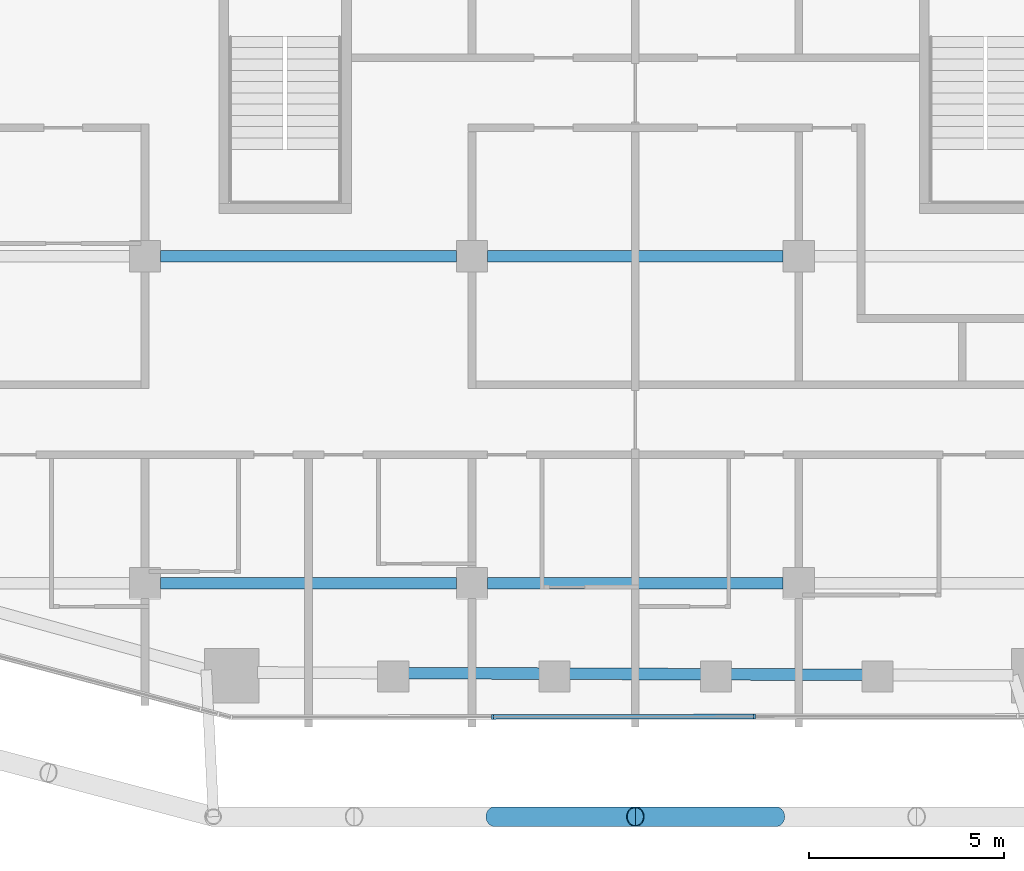
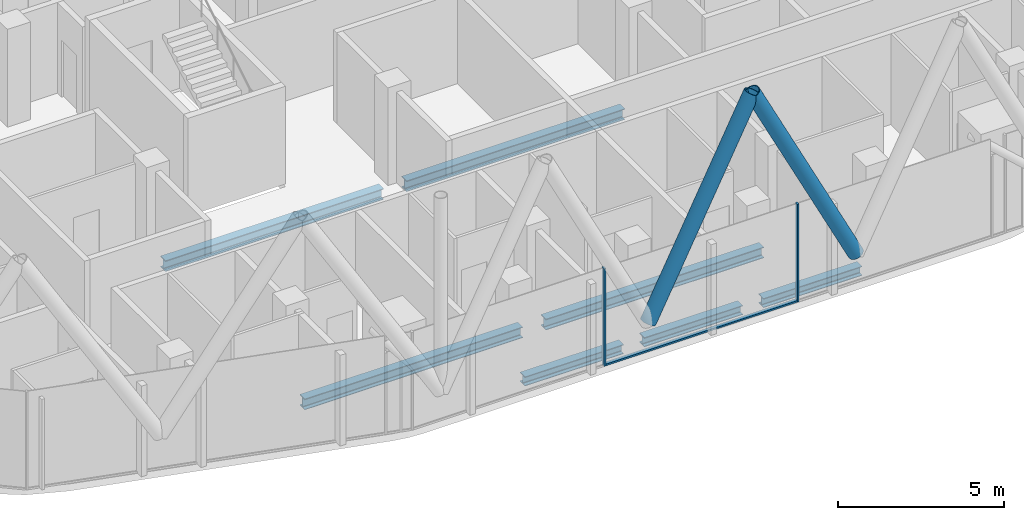
# One storey, part 3 of 28: 7 beams, 5 members, 1 element without a shape of its own.
"""IFC4 building model written with IfcOpenShell, lengths in metres."""

from ifc_helpers import new_model, si_unit, direction, frame, origin, origin_2d, place, context, subcontext, project, spatial, rectangle, hollow_circle, i_section, extrude, material, layer, layer_set, material_profile, profile_set, type_object, element, aggregate, save


model = new_model("IFC4")

# Units and contexts
model_context = context("Model", 3, precision=1e-05, world=origin(), true_north=direction((0.0, 1.0)))
body_context = subcontext(model_context, "Body", "Model", "MODEL_VIEW")
ifc_project = project(units=[si_unit("LENGTHUNIT", "METRE"), si_unit("AREAUNIT", "SQUARE_METRE"), si_unit("VOLUMEUNIT", "CUBIC_METRE"), si_unit("PLANEANGLEUNIT", "RADIAN"), si_unit("MASSUNIT", "GRAM", prefix="KILO")], contexts=[model_context])

# Site, building, storey
site_placement = place(None, origin())
site = spatial("IfcSite", under=ifc_project, at=site_placement, CompositionType="ELEMENT")
building_placement = place(site_placement, origin())
building = spatial("IfcBuilding", under=site, at=building_placement, Name="Marenta Gate Hotel Tower", CompositionType="ELEMENT")
storey_placement = place(building_placement, frame((0.0, 0.0, 212.89990234375)))
storey = spatial("IfcBuildingStorey", under=building, at=storey_placement, Name="L49", CompositionType="ELEMENT", Elevation=212.89990234375)

# Members
ifc_material_1 = material(Name="Steel S355J2W", Category="steel")
ifc_material_profile_1 = material_profile(ifc_material_1, hollow_circle(Radius=0.25390625, WallThickness=0.02490234375, at=origin_2d()), Name="CHS 508x25")
ifc_profile_set_1 = profile_set([ifc_material_profile_1], Name="Steel S355J2W")
member_type_1 = type_object("IfcMemberType", Name="Diagrid diagonal Z3 CHS 508x25", PredefinedType="BRACE", material=ifc_profile_set_1)
for number, where, z_axis, x_axis, name in (
    (1, (3.613037109375, -31.199951171875, 3.14013671875), (-0.44851025603, 0.0, 0.893777685018), (0.0, -1.0, 0.0), "L49-DG-17"),
    (2, (-3.613037109375, -31.199951171875, 3.14013671875), (0.44851025603, 0.0, 0.893777685018), (0.0, 1.0, 0.0), "L49-DG-18"),
):
    element("IfcMember", number, at=place(storey_placement, frame(where, z_axis=z_axis, x_axis=x_axis)), inside=storey, type_object=member_type_1, Name=name, PredefinedType="BRACE", context=body_context, shape_type="SweptSolid", body=[
        extrude(hollow_circle(Radius=0.25390625, WallThickness=0.02490234375, at=origin_2d()), origin(), (0.0, 0.0, 1.0), 8.0556640625),
    ])

# Beams
ifc_material_2 = material(Name="Steel S355", Category="steel")
ifc_material_profile_2 = material_profile(ifc_material_2, i_section(OverallWidth=0.300048828125, OverallDepth=0.340087890625, WebThickness=0.011962890625, FlangeThickness=0.021484375, FilletRadius=0.027099609375, at=origin_2d()), Name="HEB 340")
ifc_profile_set_2 = profile_set([ifc_material_profile_2], Name="Steel S355")
beam_type_1 = type_object("IfcBeamType", Name="Edge beam HEB 340", PredefinedType="SPANDREL", material=ifc_profile_set_2)
for number, where, z_axis, x_axis, name in (
    (3, (5.860107421875, -27.555419921875, -0.429931640625), (-0.999992599416, 0.003847221457, 0.0), (-0.003847221457, -0.999992599416, 0.0), "L49-EB-33"),
    (4, (1.71337890625, -27.539306640625, -0.429931640625), (-0.999992599416, 0.003847221457, 0.0), (-0.003847221457, -0.999992599416, 0.0), "L49-EB-34"),
    (5, (-2.433349609375, -27.5234375, -0.429931640625), (-0.999992599416, 0.003847221457, 0.0), (-0.003847221457, -0.999992599416, 0.0), "L49-EB-35"),
):
    element("IfcBeam", number, at=place(storey_placement, frame(where, z_axis=z_axis, x_axis=x_axis)), inside=storey, type_object=beam_type_1, Name=name, PredefinedType="SPANDREL", context=body_context, shape_type="SweptSolid", body=[
        extrude(i_section(OverallWidth=0.300048828125, OverallDepth=0.340087890625, WebThickness=0.011962890625, FlangeThickness=0.021484375, FilletRadius=0.027099609375, at=origin_2d()), origin(), (0.0, 0.0, 1.0), 3.4267578125),
    ])
ifc_material_3 = material(Name="Steel S355", Category="steel")
ifc_material_profile_3 = material_profile(ifc_material_3, i_section(OverallWidth=0.300048828125, OverallDepth=0.39990234375, WebThickness=0.013427734375, FlangeThickness=0.02392578125, FilletRadius=0.027099609375, at=origin_2d()), Name="HEB 400")
ifc_profile_set_3 = profile_set([ifc_material_profile_3], Name="Steel S355")
beam_type_2 = type_object("IfcBeamType", Name="Girder HEB 400", PredefinedType="BEAM", material=ifc_profile_set_3)
beam_1_placement = place(storey_placement, frame((-12.199951171875, -25.199951171875, -0.4599609375), z_axis=(1.0, 0.0, 0.0), x_axis=(0.0, 1.0, 0.0)))
element("IfcBeam", 6, at=beam_1_placement, inside=storey, type_object=beam_type_2, Name="L49-GD-2", PredefinedType="BEAM", context=body_context, shape_type="SweptSolid", body=[
    extrude(i_section(OverallWidth=0.300048828125, OverallDepth=0.39990234375, WebThickness=0.013427734375, FlangeThickness=0.02392578125, FilletRadius=0.027099609375, at=origin_2d()), origin(), (0.0, 0.0, 1.0), 7.599853515625),
])
beam_2_placement = place(storey_placement, frame((-3.800048828125, -25.199951171875, -0.4599609375), z_axis=(1.0, 0.0, 0.0), x_axis=(0.0, 1.0, 0.0)))
element("IfcBeam", 7, at=beam_2_placement, inside=storey, type_object=beam_type_2, Name="L49-GD-3", PredefinedType="BEAM", context=body_context, shape_type="SweptSolid", body=[
    extrude(i_section(OverallWidth=0.300048828125, OverallDepth=0.39990234375, WebThickness=0.013427734375, FlangeThickness=0.02392578125, FilletRadius=0.027099609375, at=origin_2d()), origin(), (0.0, 0.0, 1.0), 7.60009765625),
])
beam_3_placement = place(storey_placement, frame((-12.199951171875, -16.800048828125, -0.4599609375), z_axis=(1.0, 0.0, 0.0), x_axis=(0.0, 1.0, 0.0)))
element("IfcBeam", 8, at=beam_3_placement, inside=storey, type_object=beam_type_2, Name="L49-GD-8", PredefinedType="BEAM", context=body_context, shape_type="SweptSolid", body=[
    extrude(i_section(OverallWidth=0.300048828125, OverallDepth=0.39990234375, WebThickness=0.013427734375, FlangeThickness=0.02392578125, FilletRadius=0.027099609375, at=origin_2d()), origin(), (0.0, 0.0, 1.0), 7.599853515625),
])
beam_4_placement = place(storey_placement, frame((-3.800048828125, -16.800048828125, -0.4599609375), z_axis=(1.0, 0.0, 0.0), x_axis=(0.0, 1.0, 0.0)))
element("IfcBeam", 9, at=beam_4_placement, inside=storey, type_object=beam_type_2, Name="L49-GD-9", PredefinedType="BEAM", context=body_context, shape_type="SweptSolid", body=[
    extrude(i_section(OverallWidth=0.300048828125, OverallDepth=0.39990234375, WebThickness=0.013427734375, FlangeThickness=0.02392578125, FilletRadius=0.027099609375, at=origin_2d()), origin(), (0.0, 0.0, 1.0), 7.60009765625),
])

# Curtain wall, members
ifc_material_4 = material(Name="Tinted insulated glass in bronze anodised frame", Category="glass")
ifc_layer = layer(ifc_material_4, 0.1201171875)
ifc_layer_set = layer_set([ifc_layer], Name="Tinted insulated glass in bronze anodised frame")
curtain_wall_type = type_object("IfcCurtainWallType", Name="Tower unitised curtain wall CW1", PredefinedType="NOTDEFINED", material=ifc_layer_set)
curtain_wall_placement = place(storey_placement, origin())
curtain_wall = element("IfcCurtainWall", 10, at=curtain_wall_placement, inside=storey, type_object=curtain_wall_type, Name="CW1 run G12", PredefinedType="NOTDEFINED")
ifc_material_5 = material(Name="Bronze anodised aluminium", Category="aluminium")
ifc_material_profile_4 = material_profile(ifc_material_5, rectangle(XDim=0.1201171875, YDim=0.06005859375, at=origin_2d()), Name="Mullion CW1 60x120 bronze anodised aluminium")
ifc_profile_set_4 = profile_set([ifc_material_profile_4], Name="Bronze anodised aluminium")
member_type_2 = type_object("IfcMemberType", Name="Mullion CW1 60x120 bronze anodised aluminium", PredefinedType="MULLION", material=ifc_profile_set_4)
member_1_placement = place(storey_placement, frame((-3.67236328125, -28.636474609375, 0.0), z_axis=(0.0, 0.0, 1.0), x_axis=(-0.001643488917, 0.999998649471, 0.0)))
member_1 = element("IfcMember", 11, at=member_1_placement, type_object=member_type_2, Name="CW1 mullion 2", PredefinedType="MULLION", context=body_context, shape_type="SweptSolid", body=[
    extrude(rectangle(XDim=0.1201171875, YDim=0.06005859375, at=origin_2d()), origin(), (0.0, 0.0, 1.0), 3.60009765625),
])
member_2_placement = place(storey_placement, frame((3.061279296875, -28.62548828125, 0.0), z_axis=(0.0, 0.0, 1.0), x_axis=(-0.001643488917, 0.999998649471, 0.0)))
member_2 = element("IfcMember", 12, at=member_2_placement, type_object=member_type_2, Name="CW1 mullion 3", PredefinedType="MULLION", context=body_context, shape_type="SweptSolid", body=[
    extrude(rectangle(XDim=0.1201171875, YDim=0.06005859375, at=origin_2d()), origin(), (0.0, 0.0, 1.0), 3.60009765625),
])
ifc_material_6 = material(Name="Bronze anodised aluminium", Category="aluminium")
ifc_material_profile_5 = material_profile(ifc_material_6, rectangle(XDim=0.1201171875, YDim=0.06005859375, at=origin_2d()), Name="Transom CW1 60x120 bronze anodised aluminium")
ifc_profile_set_5 = profile_set([ifc_material_profile_5], Name="Bronze anodised aluminium")
member_type_3 = type_object("IfcMemberType", Name="Transom CW1 60x120 bronze anodised aluminium", PredefinedType="USERDEFINED", material=ifc_profile_set_5)
member_3_placement = place(storey_placement, frame((-3.642333984375, -28.636474609375, 0.030029296875), z_axis=(0.999998644948, 0.001646238852, 0.0), x_axis=(-0.001646238852, 0.999998644948, 0.0)))
member_3 = element("IfcMember", 13, at=member_3_placement, type_object=member_type_3, Name="CW1 transom 2.1", ObjectType="TRANSOM", PredefinedType="USERDEFINED", context=body_context, shape_type="SweptSolid", body=[
    extrude(rectangle(XDim=0.1201171875, YDim=0.06005859375, at=origin_2d()), origin(), (0.0, 0.0, 1.0), 6.673583984375),
])
aggregate(curtain_wall, [member_1, member_2, member_3])

save(model, "model.ifc")
